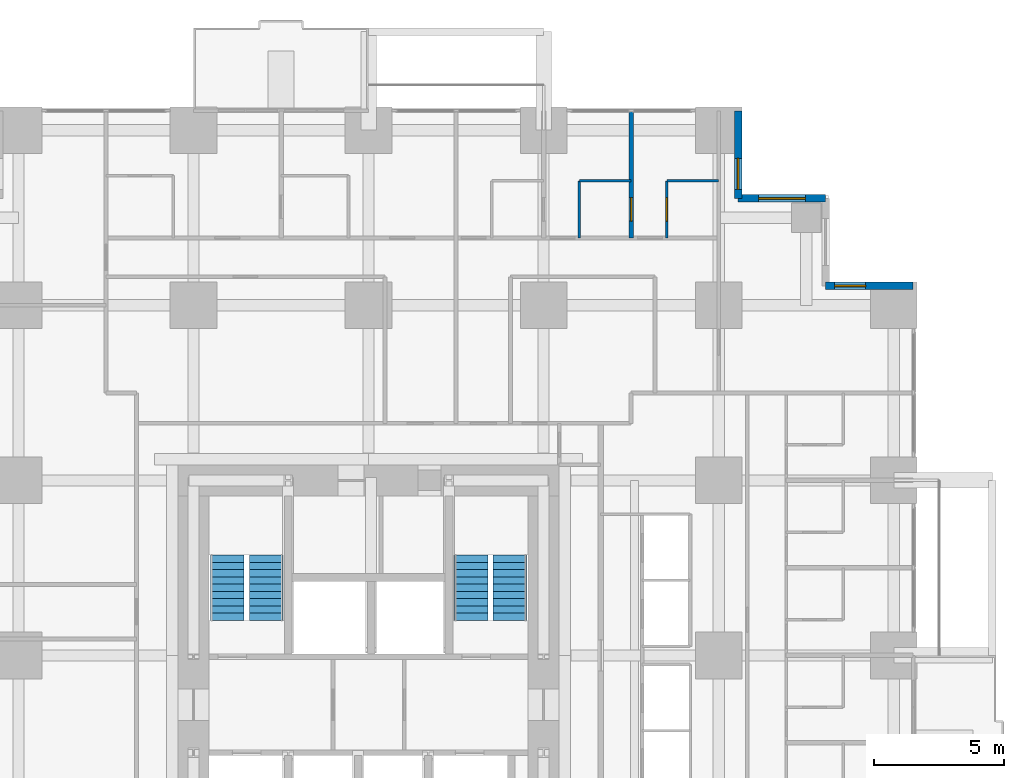
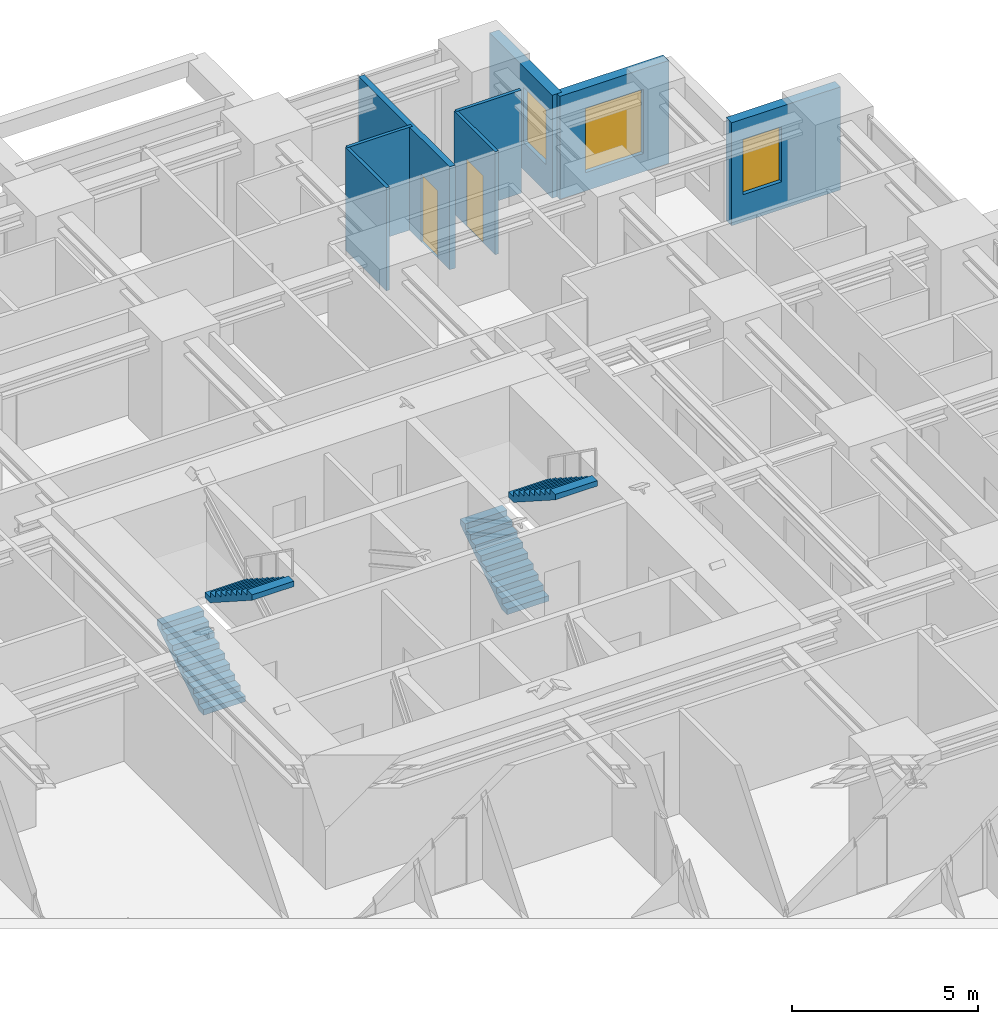
# One storey, part 14 of 15: 8 walls, 4 stair flights, 3 windows, 2 doors, 5 openings, 2 elements without a shape of their own.
"""IFC4 building model written with IfcOpenShell, lengths in metres."""

from ifc_helpers import new_model, si_unit, direction, frame, frame_2d, origin, place, context, subcontext, project, spatial, polyline, rectangle, outline, extrude, material, layer, layer_set, type_object, element, fill, aggregate, save


model = new_model("IFC4")

# Units and contexts
model_context = context("Model", 3, precision=1e-05, world=origin(), true_north=direction((0.0, 1.0)))
body_context = subcontext(model_context, "Body", "Model", "MODEL_VIEW")
ifc_project = project(units=[si_unit("LENGTHUNIT", "METRE"), si_unit("AREAUNIT", "SQUARE_METRE"), si_unit("VOLUMEUNIT", "CUBIC_METRE"), si_unit("PLANEANGLEUNIT", "RADIAN"), si_unit("MASSUNIT", "GRAM", prefix="KILO")], contexts=[model_context])

# Site, building, storey
site_placement = place(None, origin())
site = spatial("IfcSite", under=ifc_project, at=site_placement, CompositionType="ELEMENT")
building_placement = place(site_placement, origin())
building = spatial("IfcBuilding", under=site, at=building_placement, Name="Nyansa Garden Tower", CompositionType="ELEMENT")
storey_placement = place(building_placement, frame((0.0, 0.0, 61.199951171875)))
storey = spatial("IfcBuildingStorey", under=building, at=storey_placement, Name="L16", CompositionType="ELEMENT", Elevation=61.199951171875)

# Wall, opening, door
ifc_material_1 = material(Name="Dense blockwork, plastered both sides, 55 dB", Category="masonry")
ifc_layer_1 = layer(ifc_material_1, 0.175048828125)
ifc_layer_set_1 = layer_set([ifc_layer_1], Name="Acoustic party wall PW175")
wall_type_1 = type_object("IfcWallType", Name="Acoustic party wall PW175", PredefinedType="PARTITIONING", material=ifc_layer_set_1)
wall_1_placement = place(storey_placement, frame((30.375, 36.35009765625, 0.0), z_axis=(0.0, 0.0, 1.0), x_axis=(0.0, 1.0, 0.0)))
wall_1 = element("IfcWall", 1, at=wall_1_placement, inside=storey, type_object=wall_type_1, Name="Party wall", PredefinedType="PARTITIONING", context=body_context, shape_type="SweptSolid", body=[
    extrude(rectangle(XDim=4.8837890625, YDim=0.175048828125, at=frame_2d((2.44189453125, 0.0))), origin(), (0.0, 0.0, 1.0), 3.375),
])
opening_1_placement = place(wall_1_placement, frame((0.64990234375, 0.0, 0.0)))
opening_1 = element("IfcOpeningElement", 2, at=opening_1_placement, cuts=wall_1, Name="Opening D02", PredefinedType="OPENING", context=body_context, shape_type="SweptSolid", body=[
    extrude(rectangle(XDim=0.89990234375, YDim=2.199951171875, at=frame_2d((0.449951171875, 1.10009765625))), frame((0.0, 0.097412109375, 0.0), z_axis=(0.0, -1.0, 0.0), x_axis=(1.0, 0.0, 0.0)), (0.0, 0.0, 1.0), 0.195068359375),
])
ifc_material_2 = material(Name="Timber flush door", Category="wood")
door_type = type_object("IfcDoorType", Name="En-suite door D02 900x2200", OperationType="SINGLE_SWING_RIGHT", PredefinedType="DOOR", material=ifc_material_2)
door_1_placement = place(opening_1_placement, origin())
door_1 = element("IfcDoor", 3, at=door_1_placement, inside=storey, type_object=door_type, Name="Door L16-057", OperationType="SINGLE_SWING_RIGHT", OverallHeight=2.199951171875, OverallWidth=0.89990234375, PredefinedType="DOOR", context=body_context, shape_type="SweptSolid", body=[
    extrude(rectangle(XDim=0.89990234375, YDim=2.199951171875, at=frame_2d((0.449951171875, 1.10009765625))), frame((0.0, 0.02490234375, 0.0), z_axis=(0.0, -1.0, 0.0), x_axis=(1.0, 0.0, 0.0)), (0.0, 0.0, 1.0), 0.050048828125),
])
fill(opening_1, door_1)

# Wall, opening, window
ifc_material_3 = material(Name="Turquoise glazed tile on concrete blockwork", Category="masonry")
ifc_layer_2 = layer(ifc_material_3, 0.300048828125)
ifc_layer_set_2 = layer_set([ifc_layer_2], Name="Tiled corner wall TW300")
wall_type_2 = type_object("IfcWallType", Name="Tiled corner wall TW300", PredefinedType="SOLIDWALL", material=ifc_layer_set_2)
wall_2_placement = place(storey_placement, frame((41.25, 34.5, 0.0), z_axis=(0.0, 0.0, 1.0), x_axis=(-1.0, 0.0, 0.0)))
wall_2 = element("IfcWall", 4, at=wall_2_placement, inside=storey, type_object=wall_type_2, Name="Tiled corner wall L16", PredefinedType="SOLIDWALL", context=body_context, shape_type="SweptSolid", body=[
    extrude(rectangle(XDim=3.375, YDim=0.300048828125, at=frame_2d((1.6875, 0.0))), origin(), (0.0, 0.0, 1.0), 3.375),
])
opening_2_placement = place(wall_2_placement, frame((1.83251953125, 0.0, 0.89990234375)))
opening_2 = element("IfcOpeningElement", 5, at=opening_2_placement, cuts=wall_2, Name="Opening W4", PredefinedType="OPENING", context=body_context, shape_type="SweptSolid", body=[
    extrude(rectangle(XDim=1.199951171875, YDim=1.800048828125, at=frame_2d((0.60009765625, 0.89990234375))), frame((0.0, 0.159912109375, 0.0), z_axis=(0.0, -1.0, 0.0), x_axis=(1.0, 0.0, 0.0)), (0.0, 0.0, 1.0), 0.320068359375),
])
ifc_material_4 = material(Name="Black aluminium frame, dark tinted double glazing", Category="aluminium")
window_type_1 = type_object("IfcWindowType", Name="Window W4 1200x1800", PartitioningType="SINGLE_PANEL", PredefinedType="WINDOW", material=ifc_material_4)
window_1_placement = place(opening_2_placement, origin())
window_1 = element("IfcWindow", 6, at=window_1_placement, inside=storey, type_object=window_type_1, Name="Corner window L16", OverallHeight=1.800048828125, OverallWidth=1.199951171875, PartitioningType="SINGLE_PANEL", PredefinedType="WINDOW", context=body_context, shape_type="SweptSolid", body=[
    extrude(rectangle(XDim=1.199951171875, YDim=1.800048828125, at=frame_2d((0.60009765625, 0.89990234375))), frame((0.0, 0.030029296875, 0.0), z_axis=(0.0, -1.0, 0.0), x_axis=(1.0, 0.0, 0.0)), (0.0, 0.0, 1.0), 0.06005859375),
])
fill(opening_2, window_1)

wall_3_placement = place(storey_placement, frame((37.875, 37.875, 0.0), z_axis=(0.0, 0.0, 1.0), x_axis=(-1.0, 0.0, 0.0)))
wall_3 = element("IfcWall", 7, at=wall_3_placement, inside=storey, type_object=wall_type_2, Name="Tiled corner wall L16", PredefinedType="SOLIDWALL", context=body_context, shape_type="SweptSolid", body=[
    extrude(rectangle(XDim=3.375, YDim=0.300048828125, at=frame_2d((1.6875, 0.0))), origin(), (0.0, 0.0, 1.0), 3.375),
])
opening_3_placement = place(wall_3_placement, frame((0.78759765625, 0.0, 0.60009765625)))
opening_3 = element("IfcOpeningElement", 8, at=opening_3_placement, cuts=wall_3, Name="Opening W2", PredefinedType="OPENING", context=body_context, shape_type="SweptSolid", body=[
    extrude(rectangle(XDim=1.800048828125, YDim=2.10009765625, at=frame_2d((0.89990234375, 1.050048828125))), frame((0.0, 0.159912109375, 0.0), z_axis=(0.0, -1.0, 0.0), x_axis=(1.0, 0.0, 0.0)), (0.0, 0.0, 1.0), 0.320068359375),
])
ifc_material_5 = material(Name="Black aluminium frame, dark tinted double glazing", Category="aluminium")
window_type_2 = type_object("IfcWindowType", Name="Window W2 1800x2100", PartitioningType="SINGLE_PANEL", PredefinedType="WINDOW", material=ifc_material_5)
window_2_placement = place(opening_3_placement, origin())
window_2 = element("IfcWindow", 9, at=window_2_placement, inside=storey, type_object=window_type_2, Name="Corner window L16", OverallHeight=2.10009765625, OverallWidth=1.800048828125, PartitioningType="SINGLE_PANEL", PredefinedType="WINDOW", context=body_context, shape_type="SweptSolid", body=[
    extrude(rectangle(XDim=1.800048828125, YDim=2.10009765625, at=frame_2d((0.89990234375, 1.050048828125))), frame((0.0, 0.030029296875, 0.0), z_axis=(0.0, -1.0, 0.0), x_axis=(1.0, 0.0, 0.0)), (0.0, 0.0, 1.0), 0.06005859375),
])
fill(opening_3, window_2)

wall_4_placement = place(storey_placement, frame((34.5, 37.875, 0.0), z_axis=(0.0, 0.0, 1.0), x_axis=(0.0, 1.0, 0.0)))
wall_4 = element("IfcWall", 10, at=wall_4_placement, inside=storey, type_object=wall_type_2, Name="Tiled corner wall L16", PredefinedType="SOLIDWALL", context=body_context, shape_type="SweptSolid", body=[
    extrude(rectangle(XDim=3.375, YDim=0.300048828125, at=frame_2d((1.6875, 0.0))), origin(), (0.0, 0.0, 1.0), 3.375),
])
opening_4_placement = place(wall_4_placement, frame((0.342529296875, 0.0, 0.89990234375)))
opening_4 = element("IfcOpeningElement", 11, at=opening_4_placement, cuts=wall_4, Name="Opening W4", PredefinedType="OPENING", context=body_context, shape_type="SweptSolid", body=[
    extrude(rectangle(XDim=1.199951171875, YDim=1.800048828125, at=frame_2d((0.60009765625, 0.89990234375))), frame((0.0, 0.159912109375, 0.0), z_axis=(0.0, -1.0, 0.0), x_axis=(1.0, 0.0, 0.0)), (0.0, 0.0, 1.0), 0.320068359375),
])
window_3_placement = place(opening_4_placement, origin())
window_3 = element("IfcWindow", 12, at=window_3_placement, inside=storey, type_object=window_type_1, Name="Corner window L16", OverallHeight=1.800048828125, OverallWidth=1.199951171875, PartitioningType="SINGLE_PANEL", PredefinedType="WINDOW", context=body_context, shape_type="SweptSolid", body=[
    extrude(rectangle(XDim=1.199951171875, YDim=1.800048828125, at=frame_2d((0.60009765625, 0.89990234375))), frame((0.0, 0.030029296875, 0.0), z_axis=(0.0, -1.0, 0.0), x_axis=(1.0, 0.0, 0.0)), (0.0, 0.0, 1.0), 0.06005859375),
])
fill(opening_4, window_3)

# Walls
ifc_material_6 = material(Name="Moisture resistant board on steel studs, tiled", Category="steel")
ifc_layer_3 = layer(ifc_material_6, 0.10009765625)
ifc_layer_set_3 = layer_set([ifc_layer_3], Name="Wet wall PW100")
wall_type_3 = type_object("IfcWallType", Name="Wet wall PW100", PredefinedType="PARTITIONING", material=ifc_layer_set_3)
wall_5_placement = place(storey_placement, frame((28.375, 36.35009765625, 0.0), z_axis=(0.0, 0.0, 1.0), x_axis=(0.0, 1.0, 0.0)))
element("IfcWall", 13, at=wall_5_placement, inside=storey, type_object=wall_type_3, Name="Wet wall", PredefinedType="PARTITIONING", context=body_context, shape_type="SweptSolid", body=[
    extrude(rectangle(XDim=2.199951171875, YDim=0.10009765625, at=frame_2d((1.10009765625, 0.0))), origin(), (0.0, 0.0, 1.0), 3.375),
])
wall_6_placement = place(storey_placement, frame((28.375, 38.550048828125, 0.0), z_axis=(0.0, 0.0, 1.0), x_axis=(1.0, 0.0, 0.0)))
element("IfcWall", 14, at=wall_6_placement, inside=storey, type_object=wall_type_3, Name="Wet wall", PredefinedType="PARTITIONING", context=body_context, shape_type="SweptSolid", body=[
    extrude(rectangle(XDim=2.0, YDim=0.10009765625, at=frame_2d((1.0, 0.0))), origin(), (0.0, 0.0, 1.0), 3.375),
])

# Wall, opening, door
wall_7_placement = place(storey_placement, frame((31.75, 36.35009765625, 0.0), z_axis=(0.0, 0.0, 1.0), x_axis=(0.0, 1.0, 0.0)))
wall_7 = element("IfcWall", 15, at=wall_7_placement, inside=storey, type_object=wall_type_3, Name="Wet wall", PredefinedType="PARTITIONING", context=body_context, shape_type="SweptSolid", body=[
    extrude(rectangle(XDim=2.199951171875, YDim=0.10009765625, at=frame_2d((1.10009765625, 0.0))), origin(), (0.0, 0.0, 1.0), 3.375),
])
opening_5_placement = place(wall_7_placement, frame((0.64990234375, 0.0, 0.0)))
opening_5 = element("IfcOpeningElement", 16, at=opening_5_placement, cuts=wall_7, Name="Opening D02", PredefinedType="OPENING", context=body_context, shape_type="SweptSolid", body=[
    extrude(rectangle(XDim=0.89990234375, YDim=2.199951171875, at=frame_2d((0.449951171875, 1.10009765625))), frame((0.0, 0.06005859375, 0.0), z_axis=(0.0, -1.0, 0.0), x_axis=(1.0, 0.0, 0.0)), (0.0, 0.0, 1.0), 0.1201171875),
])
door_2_placement = place(opening_5_placement, origin())
door_2 = element("IfcDoor", 17, at=door_2_placement, inside=storey, type_object=door_type, Name="Door L16-055", OperationType="SINGLE_SWING_RIGHT", OverallHeight=2.199951171875, OverallWidth=0.89990234375, PredefinedType="DOOR", context=body_context, shape_type="SweptSolid", body=[
    extrude(rectangle(XDim=0.89990234375, YDim=2.199951171875, at=frame_2d((0.449951171875, 1.10009765625))), frame((0.0, 0.02490234375, 0.0), z_axis=(0.0, -1.0, 0.0), x_axis=(1.0, 0.0, 0.0)), (0.0, 0.0, 1.0), 0.050048828125),
])
fill(opening_5, door_2)

# Wall
wall_8_placement = place(storey_placement, frame((31.75, 38.550048828125, 0.0), z_axis=(0.0, 0.0, 1.0), x_axis=(1.0, 0.0, 0.0)))
element("IfcWall", 18, at=wall_8_placement, inside=storey, type_object=wall_type_3, Name="Wet wall", PredefinedType="PARTITIONING", context=body_context, shape_type="SweptSolid", body=[
    extrude(rectangle(XDim=2.0, YDim=0.10009765625, at=frame_2d((1.0, 0.0))), origin(), (0.0, 0.0, 1.0), 3.375),
])

# Stair, stair flights
ifc_material_7 = material(Name="Precast concrete C40/50", Category="concrete")
stair_type_1 = type_object("IfcStairType", Name="Stair S1 180x280", PredefinedType="HALF_TURN_STAIR", material=ifc_material_7)
stair_1_placement = place(storey_placement, origin())
stair_1 = element("IfcStair", 19, at=stair_1_placement, inside=storey, type_object=stair_type_1, Name="Stair S1 L16", PredefinedType="HALF_TURN_STAIR")
ifc_material_8 = material(Name="Precast concrete C40/50", Category="concrete")
stair_flight_type_1 = type_object("IfcStairFlightType", Name="Stair flight S1 180x280x10", PredefinedType="STRAIGHT", material=ifc_material_8)
stair_flight_1_placement = place(storey_placement, frame((14.800048828125, 21.60009765625, 0.0), z_axis=(0.0, 0.0, 1.0), x_axis=(0.0, 1.0, 0.0)))
stair_flight_1 = element("IfcStairFlight", 20, at=stair_flight_1_placement, type_object=stair_flight_type_1, Name="S1 flight 1", NumberOfRisers=10, NumberOfTreads=9, PredefinedType="STRAIGHT", RiserHeight=0.18, TreadLength=0.28, context=body_context, shape_type="SweptSolid", body=[
    extrude(outline(polyline([(0.0, 0.0), (0.0, 0.179931640625), (0.280029296875, 0.179931640625), (0.280029296875, 0.360107421875), (0.56005859375, 0.360107421875), (0.56005859375, 0.5400390625), (0.840087890625, 0.5400390625), (0.840087890625, 0.719970703125), (1.1201171875, 0.719970703125), (1.1201171875, 0.89990234375), (1.39990234375, 0.89990234375), (1.39990234375, 1.080078125), (1.679931640625, 1.080078125), (1.679931640625, 1.260009765625), (1.9599609375, 1.260009765625), (1.9599609375, 1.43994140625), (2.239990234375, 1.43994140625), (2.239990234375, 1.6201171875), (2.52001953125, 1.6201171875), (2.52001953125, 1.800048828125), (2.52001953125, 1.44189453125), (0.277099609375, 0.0), (0.0, 0.0)])), frame((0.0, 0.64990234375, 0.0), z_axis=(0.0, -1.0, 0.0), x_axis=(1.0, 0.0, 0.0)), (0.0, 0.0, 1.0), 1.300048828125),
])
stair_flight_2_placement = place(storey_placement, frame((16.300048828125, 24.1201171875, 1.800048828125), z_axis=(0.0, 0.0, 1.0), x_axis=(0.0, -1.0, 0.0)))
stair_flight_2 = element("IfcStairFlight", 21, at=stair_flight_2_placement, type_object=stair_flight_type_1, Name="S1 flight 2", NumberOfRisers=10, NumberOfTreads=9, PredefinedType="STRAIGHT", RiserHeight=0.18, TreadLength=0.28, context=body_context, shape_type="SweptSolid", body=[
    extrude(outline(polyline([(0.0, 0.0), (0.0, 0.179931640625), (0.280029296875, 0.179931640625), (0.280029296875, 0.360107421875), (0.56005859375, 0.360107421875), (0.56005859375, 0.5400390625), (0.840087890625, 0.5400390625), (0.840087890625, 0.719970703125), (1.1201171875, 0.719970703125), (1.1201171875, 0.89990234375), (1.39990234375, 0.89990234375), (1.39990234375, 1.080078125), (1.679931640625, 1.080078125), (1.679931640625, 1.260009765625), (1.9599609375, 1.260009765625), (1.9599609375, 1.43994140625), (2.239990234375, 1.43994140625), (2.239990234375, 1.6201171875), (2.52001953125, 1.6201171875), (2.52001953125, 1.800048828125), (2.52001953125, 1.44189453125), (0.277099609375, 0.0), (0.0, 0.0)])), frame((0.0, 0.64990234375, 0.0), z_axis=(0.0, -1.0, 0.0), x_axis=(1.0, 0.0, 0.0)), (0.0, 0.0, 1.0), 1.300048828125),
])
aggregate(stair_1, [stair_flight_1, stair_flight_2])

ifc_material_9 = material(Name="Precast concrete C40/50", Category="concrete")
stair_type_2 = type_object("IfcStairType", Name="Stair S2 180x280", PredefinedType="HALF_TURN_STAIR", material=ifc_material_9)
stair_2_placement = place(storey_placement, origin())
stair_2 = element("IfcStair", 22, at=stair_2_placement, inside=storey, type_object=stair_type_2, Name="Stair S2 L16", PredefinedType="HALF_TURN_STAIR")
ifc_material_10 = material(Name="Precast concrete C40/50", Category="concrete")
stair_flight_type_2 = type_object("IfcStairFlightType", Name="Stair flight S2 180x280x10", PredefinedType="STRAIGHT", material=ifc_material_10)
stair_flight_3_placement = place(storey_placement, frame((24.199951171875, 21.60009765625, 0.0), z_axis=(0.0, 0.0, 1.0), x_axis=(0.0, 1.0, 0.0)))
stair_flight_3 = element("IfcStairFlight", 23, at=stair_flight_3_placement, type_object=stair_flight_type_2, Name="S2 flight 1", NumberOfRisers=10, NumberOfTreads=9, PredefinedType="STRAIGHT", RiserHeight=0.18, TreadLength=0.28, context=body_context, shape_type="SweptSolid", body=[
    extrude(outline(polyline([(0.0, 0.0), (0.0, 0.179931640625), (0.280029296875, 0.179931640625), (0.280029296875, 0.360107421875), (0.56005859375, 0.360107421875), (0.56005859375, 0.5400390625), (0.840087890625, 0.5400390625), (0.840087890625, 0.719970703125), (1.1201171875, 0.719970703125), (1.1201171875, 0.89990234375), (1.39990234375, 0.89990234375), (1.39990234375, 1.080078125), (1.679931640625, 1.080078125), (1.679931640625, 1.260009765625), (1.9599609375, 1.260009765625), (1.9599609375, 1.43994140625), (2.239990234375, 1.43994140625), (2.239990234375, 1.6201171875), (2.52001953125, 1.6201171875), (2.52001953125, 1.800048828125), (2.52001953125, 1.44189453125), (0.277099609375, 0.0), (0.0, 0.0)])), frame((0.0, 0.64990234375, 0.0), z_axis=(0.0, -1.0, 0.0), x_axis=(1.0, 0.0, 0.0)), (0.0, 0.0, 1.0), 1.300048828125),
])
stair_flight_4_placement = place(storey_placement, frame((25.699951171875, 24.1201171875, 1.800048828125), z_axis=(0.0, 0.0, 1.0), x_axis=(0.0, -1.0, 0.0)))
stair_flight_4 = element("IfcStairFlight", 24, at=stair_flight_4_placement, type_object=stair_flight_type_2, Name="S2 flight 2", NumberOfRisers=10, NumberOfTreads=9, PredefinedType="STRAIGHT", RiserHeight=0.18, TreadLength=0.28, context=body_context, shape_type="SweptSolid", body=[
    extrude(outline(polyline([(0.0, 0.0), (0.0, 0.179931640625), (0.280029296875, 0.179931640625), (0.280029296875, 0.360107421875), (0.56005859375, 0.360107421875), (0.56005859375, 0.5400390625), (0.840087890625, 0.5400390625), (0.840087890625, 0.719970703125), (1.1201171875, 0.719970703125), (1.1201171875, 0.89990234375), (1.39990234375, 0.89990234375), (1.39990234375, 1.080078125), (1.679931640625, 1.080078125), (1.679931640625, 1.260009765625), (1.9599609375, 1.260009765625), (1.9599609375, 1.43994140625), (2.239990234375, 1.43994140625), (2.239990234375, 1.6201171875), (2.52001953125, 1.6201171875), (2.52001953125, 1.800048828125), (2.52001953125, 1.44189453125), (0.277099609375, 0.0), (0.0, 0.0)])), frame((0.0, 0.64990234375, 0.0), z_axis=(0.0, -1.0, 0.0), x_axis=(1.0, 0.0, 0.0)), (0.0, 0.0, 1.0), 1.300048828125),
])
aggregate(stair_2, [stair_flight_3, stair_flight_4])

save(model, "model.ifc")
